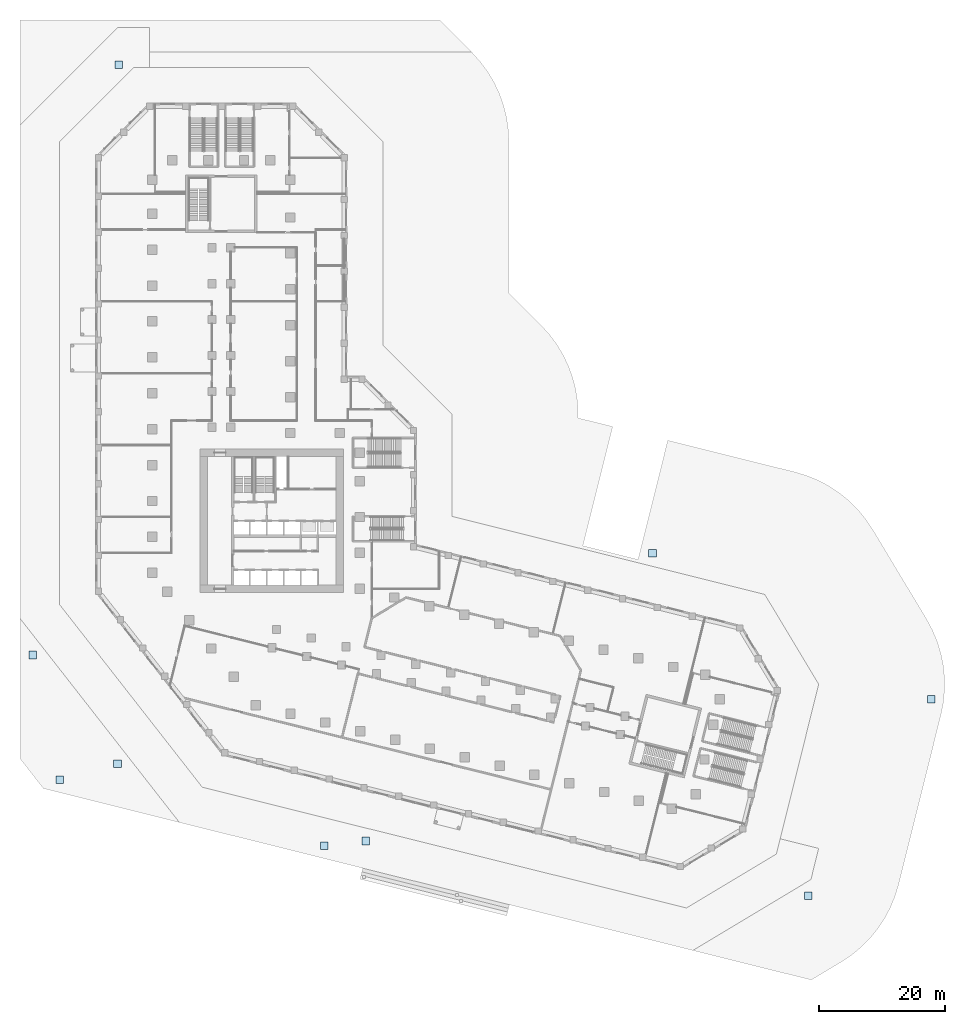
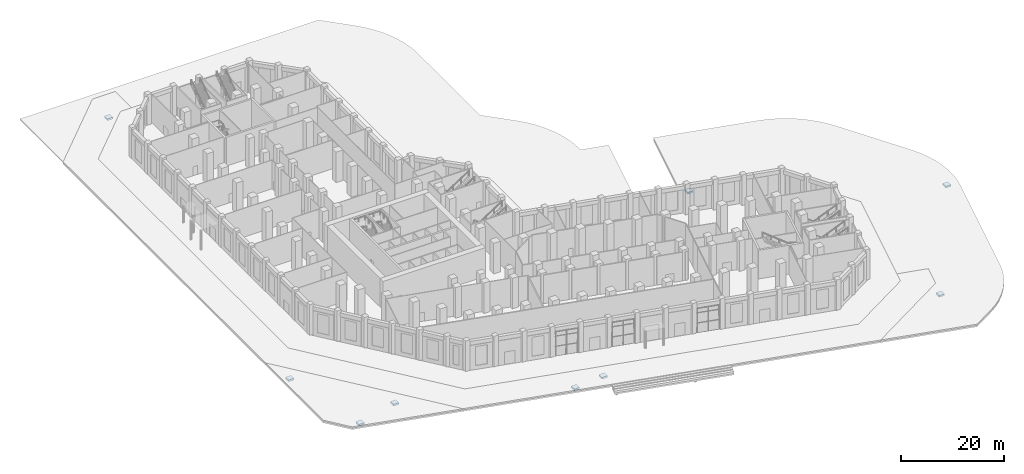
# One storey, part 1 of 27: 9 footings.
"""IFC4 building model written with IfcOpenShell, lengths in metres."""

from ifc_helpers import new_model, si_unit, direction, frame, origin, place, context, subcontext, project, spatial, polyline, outline, extrude, material, layer, layer_set, type_object, element, save


model = new_model("IFC4")

# Units and contexts
model_context = context("Model", 3, precision=1e-05, world=origin(), true_north=direction((0.0, 1.0)))
body_context = subcontext(model_context, "Body", "Model", "MODEL_VIEW")
ifc_project = project(units=[si_unit("LENGTHUNIT", "METRE"), si_unit("AREAUNIT", "SQUARE_METRE"), si_unit("VOLUMEUNIT", "CUBIC_METRE"), si_unit("PLANEANGLEUNIT", "RADIAN"), si_unit("MASSUNIT", "GRAM", prefix="KILO")], contexts=[model_context])

# Site, building, storey
site_placement = place(None, origin())
site = spatial("IfcSite", under=ifc_project, at=site_placement, CompositionType="ELEMENT")
building_placement = place(site_placement, origin())
building = spatial("IfcBuilding", under=site, at=building_placement, Name="Meshkara Civic Tower", CompositionType="ELEMENT")
storey_placement = place(building_placement, origin())
storey = spatial("IfcBuildingStorey", under=building, at=storey_placement, Name="L00", CompositionType="ELEMENT", Elevation=0.0)

# Footings
ifc_material = material(Name="Concrete C40", Category="concrete")
ifc_layer = layer(ifc_material, 0.39990234375)
ifc_layer_set = layer_set([ifc_layer], Name="GROUND FOOTING PAD 400")
footing_type = type_object("IfcFootingType", Name="GROUND FOOTING PAD 400", PredefinedType="PAD_FOOTING", material=ifc_layer_set)
footing_1_placement = place(storey_placement, frame((0.0, 0.0, -1.050048828125)))
element("IfcFooting", 1, at=footing_1_placement, inside=storey, type_object=footing_type, Name="Promenade paving footing", PredefinedType="PAD_FOOTING", context=body_context, shape_type="SweptSolid", body=[
    extrude(outline(polyline([(-5.48095703125, 97.300048828125), (-4.281005859375, 97.300048828125), (-4.281005859375, 98.5), (-5.48095703125, 98.5), (-5.48095703125, 97.300048828125)])), origin(), (0.0, 0.0, 1.0), 0.400146484375),
])
footing_2_placement = place(storey_placement, frame((0.0, 0.0, -1.050048828125)))
element("IfcFooting", 2, at=footing_2_placement, inside=storey, type_object=footing_type, Name="Promenade paving footing", PredefinedType="PAD_FOOTING", context=body_context, shape_type="SweptSolid", body=[
    extrude(outline(polyline([(33.72509765625, -25.906494140625), (34.92529296875, -25.906494140625), (34.92529296875, -24.706298828125), (33.72509765625, -24.706298828125), (33.72509765625, -25.906494140625)])), origin(), (0.0, 0.0, 1.0), 0.400146484375),
])
footing_3_placement = place(storey_placement, frame((0.0, 0.0, -1.050048828125)))
element("IfcFooting", 3, at=footing_3_placement, inside=storey, type_object=footing_type, Name="Promenade paving footing", PredefinedType="PAD_FOOTING", context=body_context, shape_type="SweptSolid", body=[
    extrude(outline(polyline([(27.137939453125, -26.6337890625), (28.337890625, -26.6337890625), (28.337890625, -25.43359375), (27.137939453125, -25.43359375), (27.137939453125, -26.6337890625)])), origin(), (0.0, 0.0, 1.0), 0.400146484375),
])
footing_4_placement = place(storey_placement, frame((0.0, 0.0, -1.050048828125)))
element("IfcFooting", 4, at=footing_4_placement, inside=storey, type_object=footing_type, Name="Plaza paving footing", PredefinedType="PAD_FOOTING", context=body_context, shape_type="SweptSolid", body=[
    extrude(outline(polyline([(79.241943359375, 19.739013671875), (80.44189453125, 19.739013671875), (80.44189453125, 20.93896484375), (79.241943359375, 20.93896484375), (79.241943359375, 19.739013671875)])), origin(), (0.0, 0.0, 1.0), 0.400146484375),
])
footing_5_placement = place(storey_placement, frame((0.0, 0.0, -1.050048828125)))
element("IfcFooting", 5, at=footing_5_placement, inside=storey, type_object=footing_type, Name="Plaza paving footing", PredefinedType="PAD_FOOTING", context=body_context, shape_type="SweptSolid", body=[
    extrude(outline(polyline([(123.454345703125, -3.37646484375), (124.654296875, -3.37646484375), (124.654296875, -2.176513671875), (123.454345703125, -2.176513671875), (123.454345703125, -3.37646484375)])), origin(), (0.0, 0.0, 1.0), 0.400146484375),
])
footing_6_placement = place(storey_placement, frame((0.0, 0.0, -1.050048828125)))
element("IfcFooting", 6, at=footing_6_placement, inside=storey, type_object=footing_type, Name="Plaza paving footing", PredefinedType="PAD_FOOTING", context=body_context, shape_type="SweptSolid", body=[
    extrude(outline(polyline([(103.964599609375, -34.610107421875), (105.16455078125, -34.610107421875), (105.16455078125, -33.41015625), (103.964599609375, -33.41015625), (103.964599609375, -34.610107421875)])), origin(), (0.0, 0.0, 1.0), 0.400146484375),
])
footing_7_placement = place(storey_placement, frame((0.0, 0.0, -1.050048828125)))
element("IfcFooting", 7, at=footing_7_placement, inside=storey, type_object=footing_type, Name="Plaza paving footing", PredefinedType="PAD_FOOTING", context=body_context, shape_type="SweptSolid", body=[
    extrude(outline(polyline([(-19.14990234375, 3.615966796875), (-17.949951171875, 3.615966796875), (-17.949951171875, 4.81591796875), (-19.14990234375, 4.81591796875), (-19.14990234375, 3.615966796875)])), origin(), (0.0, 0.0, 1.0), 0.400146484375),
])
footing_8_placement = place(storey_placement, frame((0.0, 0.0, -1.050048828125)))
element("IfcFooting", 8, at=footing_8_placement, inside=storey, type_object=footing_type, Name="Plaza paving footing", PredefinedType="PAD_FOOTING", context=body_context, shape_type="SweptSolid", body=[
    extrude(outline(polyline([(-5.677001953125, -13.628662109375), (-4.47705078125, -13.628662109375), (-4.47705078125, -12.4287109375), (-5.677001953125, -12.4287109375), (-5.677001953125, -13.628662109375)])), origin(), (0.0, 0.0, 1.0), 0.400146484375),
])
footing_9_placement = place(storey_placement, frame((0.0, 0.0, -1.050048828125)))
element("IfcFooting", 9, at=footing_9_placement, inside=storey, type_object=footing_type, Name="Plaza paving footing", PredefinedType="PAD_FOOTING", context=body_context, shape_type="SweptSolid", body=[
    extrude(outline(polyline([(-14.8544921875, -16.163818359375), (-13.654541015625, -16.163818359375), (-13.654541015625, -14.963623046875), (-14.8544921875, -14.963623046875), (-14.8544921875, -16.163818359375)])), origin(), (0.0, 0.0, 1.0), 0.400146484375),
])

save(model, "model.ifc")
